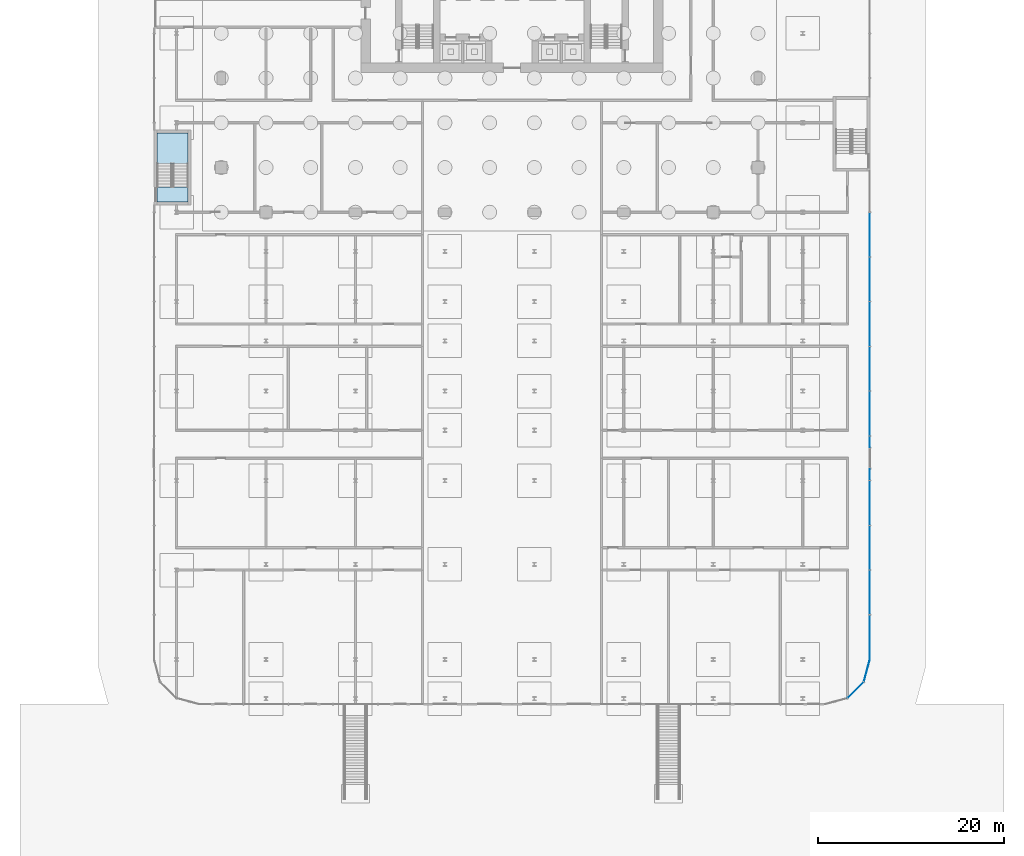
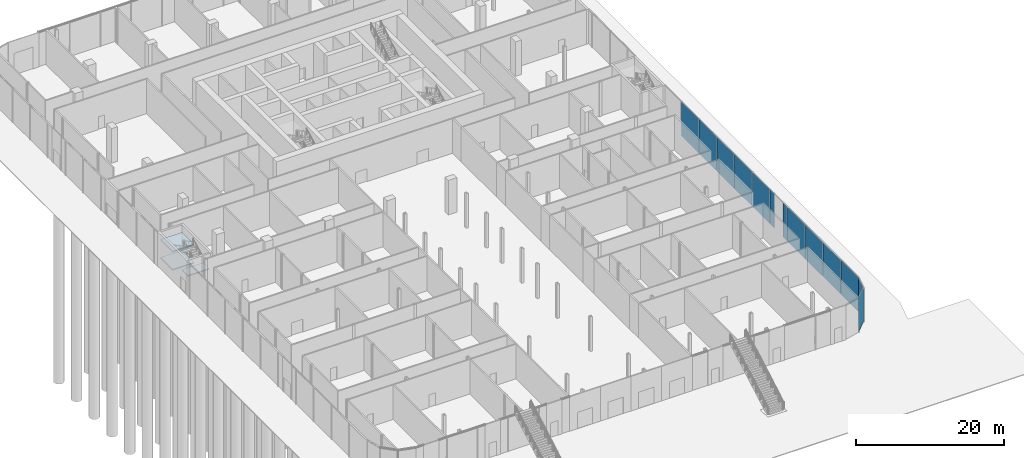
# One storey, part 22 of 44: 13 plates, 3 slabs, 3 elements without a shape of their own.
"""IFC4 building model written with IfcOpenShell, lengths in metres."""

from ifc_helpers import new_model, si_unit, direction, frame, origin, origin_2d, place, context, subcontext, project, spatial, polyline, rectangle, outline, extrude, material, layer, layer_set, type_object, element, aggregate, save


model = new_model("IFC4")

# Units and contexts
model_context = context("Model", 3, precision=1e-05, world=origin(), true_north=direction((0.0, 1.0)))
body_context = subcontext(model_context, "Body", "Model", "MODEL_VIEW")
ifc_project = project(units=[si_unit("LENGTHUNIT", "METRE"), si_unit("AREAUNIT", "SQUARE_METRE"), si_unit("VOLUMEUNIT", "CUBIC_METRE"), si_unit("PLANEANGLEUNIT", "RADIAN"), si_unit("MASSUNIT", "GRAM", prefix="KILO")], contexts=[model_context])

# Site, building, storey
site_placement = place(None, origin())
site = spatial("IfcSite", under=ifc_project, at=site_placement, CompositionType="ELEMENT")
building_placement = place(site_placement, origin())
building = spatial("IfcBuilding", under=site, at=building_placement, Name="Madar Terraces", CompositionType="ELEMENT")
storey_placement = place(building_placement, origin())
storey = spatial("IfcBuildingStorey", under=building, at=storey_placement, Name="L00", CompositionType="ELEMENT", Elevation=0.0)

# Curtain wall, plates
ifc_material_1 = material(Name="Glass, clear low-iron, with black aluminium frame", Category="aluminium")
ifc_layer_1 = layer(ifc_material_1, 0.199951171875)
ifc_layer_set_1 = layer_set([ifc_layer_1], Name="Facade curtain wall, shopfront glazing")
curtain_wall_type = type_object("IfcCurtainWallType", Name="Facade curtain wall, shopfront glazing", PredefinedType="NOTDEFINED", material=ifc_layer_set_1)
curtain_wall_1_placement = place(storey_placement, origin())
curtain_wall_1 = element("IfcCurtainWall", 1, at=curtain_wall_1_placement, inside=storey, type_object=curtain_wall_type, Name="Outer skin curtain wall east bay 1", PredefinedType="NOTDEFINED")
ifc_material_2 = material(Name="Glass, ceramic frit dark grey", Category="glass")
ifc_layer_2 = layer(ifc_material_2, 0.028076171875)
ifc_layer_set_2 = layer_set([ifc_layer_2], Name="Facade glass panel 28")
plate_type = type_object("IfcPlateType", Name="Facade glass panel 28", PredefinedType="CURTAIN_PANEL", material=ifc_layer_set_2)
plate_1_placement = place(storey_placement, frame((69.60009765625, -45.614990234375, 0.0), z_axis=(0.0, 0.0, 1.0), x_axis=(0.0, 1.0, 0.0)))
plate_1 = element("IfcPlate", 2, at=plate_1_placement, type_object=plate_type, Name="Panel 1", PredefinedType="CURTAIN_PANEL", context=body_context, shape_type="SweptSolid", body=[
    extrude(rectangle(XDim=4.77001953125, YDim=0.028076171875, at=origin_2d()), origin(), (0.0, 0.0, 1.0), 5.639892578125),
])
plate_2_placement = place(storey_placement, frame((69.60009765625, -40.800048828125, 0.0), z_axis=(0.0, 0.0, 1.0), x_axis=(0.0, 1.0, 0.0)))
plate_2 = element("IfcPlate", 3, at=plate_2_placement, type_object=plate_type, Name="Panel 2", PredefinedType="CURTAIN_PANEL", context=body_context, shape_type="SweptSolid", body=[
    extrude(rectangle(XDim=4.739990234375, YDim=0.028076171875, at=origin_2d()), origin(), (0.0, 0.0, 1.0), 5.639892578125),
])
plate_3_placement = place(storey_placement, frame((69.60009765625, -36.0, 0.0), z_axis=(0.0, 0.0, 1.0), x_axis=(0.0, 1.0, 0.0)))
plate_3 = element("IfcPlate", 4, at=plate_3_placement, type_object=plate_type, Name="Panel 3", PredefinedType="CURTAIN_PANEL", context=body_context, shape_type="SweptSolid", body=[
    extrude(rectangle(XDim=4.739990234375, YDim=0.028076171875, at=origin_2d()), origin(), (0.0, 0.0, 1.0), 5.639892578125),
])
plate_4_placement = place(storey_placement, frame((69.60009765625, -31.199951171875, 0.0), z_axis=(0.0, 0.0, 1.0), x_axis=(0.0, 1.0, 0.0)))
plate_4 = element("IfcPlate", 5, at=plate_4_placement, type_object=plate_type, Name="Panel 4", PredefinedType="CURTAIN_PANEL", context=body_context, shape_type="SweptSolid", body=[
    extrude(rectangle(XDim=4.739990234375, YDim=0.028076171875, at=origin_2d()), origin(), (0.0, 0.0, 1.0), 5.639892578125),
])
plate_5_placement = place(storey_placement, frame((69.60009765625, -28.18505859375, 0.0), z_axis=(0.0, 0.0, 1.0), x_axis=(0.0, 1.0, 0.0)))
plate_5 = element("IfcPlate", 6, at=plate_5_placement, type_object=plate_type, Name="Panel 5", PredefinedType="CURTAIN_PANEL", context=body_context, shape_type="SweptSolid", body=[
    extrude(rectangle(XDim=1.169921875, YDim=0.028076171875, at=origin_2d()), origin(), (0.0, 0.0, 1.0), 5.639892578125),
])
plate_6_placement = place(storey_placement, frame((69.60009765625, -24.614990234375, 0.0), z_axis=(0.0, 0.0, 1.0), x_axis=(0.0, 1.0, 0.0)))
plate_6 = element("IfcPlate", 7, at=plate_6_placement, type_object=plate_type, Name="Panel 6", PredefinedType="CURTAIN_PANEL", context=body_context, shape_type="SweptSolid", body=[
    extrude(rectangle(XDim=1.169921875, YDim=0.028076171875, at=origin_2d()), origin(), (0.0, 0.0, 1.0), 5.639892578125),
])
plate_7_placement = place(storey_placement, frame((69.60009765625, -21.60009765625, 0.0), z_axis=(0.0, 0.0, 1.0), x_axis=(0.0, 1.0, 0.0)))
plate_7 = element("IfcPlate", 8, at=plate_7_placement, type_object=plate_type, Name="Panel 7", PredefinedType="CURTAIN_PANEL", context=body_context, shape_type="SweptSolid", body=[
    extrude(rectangle(XDim=4.739990234375, YDim=0.028076171875, at=origin_2d()), origin(), (0.0, 0.0, 1.0), 5.639892578125),
])
plate_8_placement = place(storey_placement, frame((69.60009765625, -16.800048828125, 0.0), z_axis=(0.0, 0.0, 1.0), x_axis=(0.0, 1.0, 0.0)))
plate_8 = element("IfcPlate", 9, at=plate_8_placement, type_object=plate_type, Name="Panel 8", PredefinedType="CURTAIN_PANEL", context=body_context, shape_type="SweptSolid", body=[
    extrude(rectangle(XDim=4.739990234375, YDim=0.028076171875, at=origin_2d()), origin(), (0.0, 0.0, 1.0), 5.639892578125),
])
plate_9_placement = place(storey_placement, frame((69.60009765625, -12.0, 0.0), z_axis=(0.0, 0.0, 1.0), x_axis=(0.0, 1.0, 0.0)))
plate_9 = element("IfcPlate", 10, at=plate_9_placement, type_object=plate_type, Name="Panel 9", PredefinedType="CURTAIN_PANEL", context=body_context, shape_type="SweptSolid", body=[
    extrude(rectangle(XDim=4.739990234375, YDim=0.028076171875, at=origin_2d()), origin(), (0.0, 0.0, 1.0), 5.639892578125),
])
plate_10_placement = place(storey_placement, frame((69.60009765625, -7.199951171875, 0.0), z_axis=(0.0, 0.0, 1.0), x_axis=(0.0, 1.0, 0.0)))
plate_10 = element("IfcPlate", 11, at=plate_10_placement, type_object=plate_type, Name="Panel 10", PredefinedType="CURTAIN_PANEL", context=body_context, shape_type="SweptSolid", body=[
    extrude(rectangle(XDim=4.739990234375, YDim=0.028076171875, at=origin_2d()), origin(), (0.0, 0.0, 1.0), 5.639892578125),
])
plate_11_placement = place(storey_placement, frame((69.60009765625, -2.39990234375, 0.0), z_axis=(0.0, 0.0, 1.0), x_axis=(0.0, 1.0, 0.0)))
plate_11 = element("IfcPlate", 12, at=plate_11_placement, type_object=plate_type, Name="Panel 11", PredefinedType="CURTAIN_PANEL", context=body_context, shape_type="SweptSolid", body=[
    extrude(rectangle(XDim=4.739990234375, YDim=0.028076171875, at=origin_2d()), origin(), (0.0, 0.0, 1.0), 5.639892578125),
])
aggregate(curtain_wall_1, [plate_1, plate_2, plate_3, plate_4, plate_5, plate_6, plate_7, plate_8, plate_9, plate_10, plate_11])

curtain_wall_2_placement = place(storey_placement, origin())
curtain_wall_2 = element("IfcCurtainWall", 13, at=curtain_wall_2_placement, inside=storey, type_object=curtain_wall_type, Name="Outer skin curtain wall south-east corner", PredefinedType="NOTDEFINED")
plate_12_placement = place(storey_placement, frame((68.078369140625, -51.278564453125, 0.0), z_axis=(0.0, 0.0, 1.0), x_axis=(0.707106781187, 0.707106781187, 0.0)))
plate_12 = element("IfcPlate", 14, at=plate_12_placement, type_object=plate_type, Name="Panel 2", PredefinedType="CURTAIN_PANEL", context=body_context, shape_type="SweptSolid", body=[
    extrude(rectangle(XDim=2.424560546875, YDim=0.028076171875, at=origin_2d()), origin(), (0.0, 0.0, 1.0), 5.639892578125),
])
plate_13_placement = place(storey_placement, frame((69.2822265625, -49.185546875, 0.0), z_axis=(0.0, 0.0, 1.0), x_axis=(0.258819021888, 0.965925832509, 0.0)))
plate_13 = element("IfcPlate", 15, at=plate_13_placement, type_object=plate_type, Name="Panel 3", PredefinedType="CURTAIN_PANEL", context=body_context, shape_type="SweptSolid", body=[
    extrude(rectangle(XDim=2.45458984375, YDim=0.028076171875, at=origin_2d()), origin(), (0.0, 0.0, 1.0), 5.639892578125),
])
aggregate(curtain_wall_2, [plate_12, plate_13])

# Stair, slabs
ifc_material_3 = material(Name="Concrete C50/60", Category="concrete")
stair_type = type_object("IfcStairType", Name="Stair PS1 protected exit", PredefinedType="HALF_TURN_STAIR", material=ifc_material_3)
stair_placement = place(storey_placement, origin())
stair = element("IfcStair", 16, at=stair_placement, inside=storey, type_object=stair_type, Name="L00 Protected Exit Stair PS1", PredefinedType="HALF_TURN_STAIR")
ifc_material_4 = material(Name="Concrete C50/60", Category="concrete")
ifc_layer_3 = layer(ifc_material_4, 0.199951171875)
ifc_layer_set_3 = layer_set([ifc_layer_3], Name="Stair landing 200, top +1.50")
slab_type_1 = type_object("IfcSlabType", Name="Stair landing 200, top +1.50", PredefinedType="LANDING", material=ifc_layer_set_3)
slab_1_placement = place(storey_placement, frame((0.0, 0.0, 1.300048828125)))
slab_1 = element("IfcSlab", 17, at=slab_1_placement, type_object=slab_type_1, Name="PS1 landing 1", PredefinedType="LANDING", context=body_context, shape_type="SweptSolid", body=[
    extrude(outline(polyline([(-6.89990234375, 5.22998046875), (-3.550048828125, 5.22998046875), (-3.550048828125, 8.5), (-6.89990234375, 8.5), (-6.89990234375, 5.22998046875)])), origin(), (0.0, 0.0, 1.0), 0.199951171875),
])
ifc_material_5 = material(Name="Concrete C50/60", Category="concrete")
ifc_layer_4 = layer(ifc_material_5, 0.199951171875)
ifc_layer_set_4 = layer_set([ifc_layer_4], Name="Stair landing 200, top +3.00")
slab_type_2 = type_object("IfcSlabType", Name="Stair landing 200, top +3.00", PredefinedType="LANDING", material=ifc_layer_set_4)
slab_2_placement = place(storey_placement, frame((0.0, 0.0, 2.800048828125)))
slab_2 = element("IfcSlab", 18, at=slab_2_placement, type_object=slab_type_2, Name="PS1 landing 2", PredefinedType="LANDING", context=body_context, shape_type="SweptSolid", body=[
    extrude(outline(polyline([(-6.89990234375, 1.10009765625), (-3.550048828125, 1.10009765625), (-3.550048828125, 2.72998046875), (-6.89990234375, 2.72998046875), (-6.89990234375, 1.10009765625)])), origin(), (0.0, 0.0, 1.0), 0.199951171875),
])
ifc_material_6 = material(Name="Concrete C50/60", Category="concrete")
ifc_layer_5 = layer(ifc_material_6, 0.199951171875)
ifc_layer_set_5 = layer_set([ifc_layer_5], Name="Stair landing 200, top +4.50")
slab_type_3 = type_object("IfcSlabType", Name="Stair landing 200, top +4.50", PredefinedType="LANDING", material=ifc_layer_set_5)
slab_3_placement = place(storey_placement, frame((0.0, 0.0, 4.300048828125)))
slab_3 = element("IfcSlab", 19, at=slab_3_placement, type_object=slab_type_3, Name="PS1 landing 3", PredefinedType="LANDING", context=body_context, shape_type="SweptSolid", body=[
    extrude(outline(polyline([(-6.89990234375, 5.22998046875), (-3.550048828125, 5.22998046875), (-3.550048828125, 8.5), (-6.89990234375, 8.5), (-6.89990234375, 5.22998046875)])), origin(), (0.0, 0.0, 1.0), 0.199951171875),
])
aggregate(stair, [slab_1, slab_2, slab_3])

save(model, "model.ifc")
